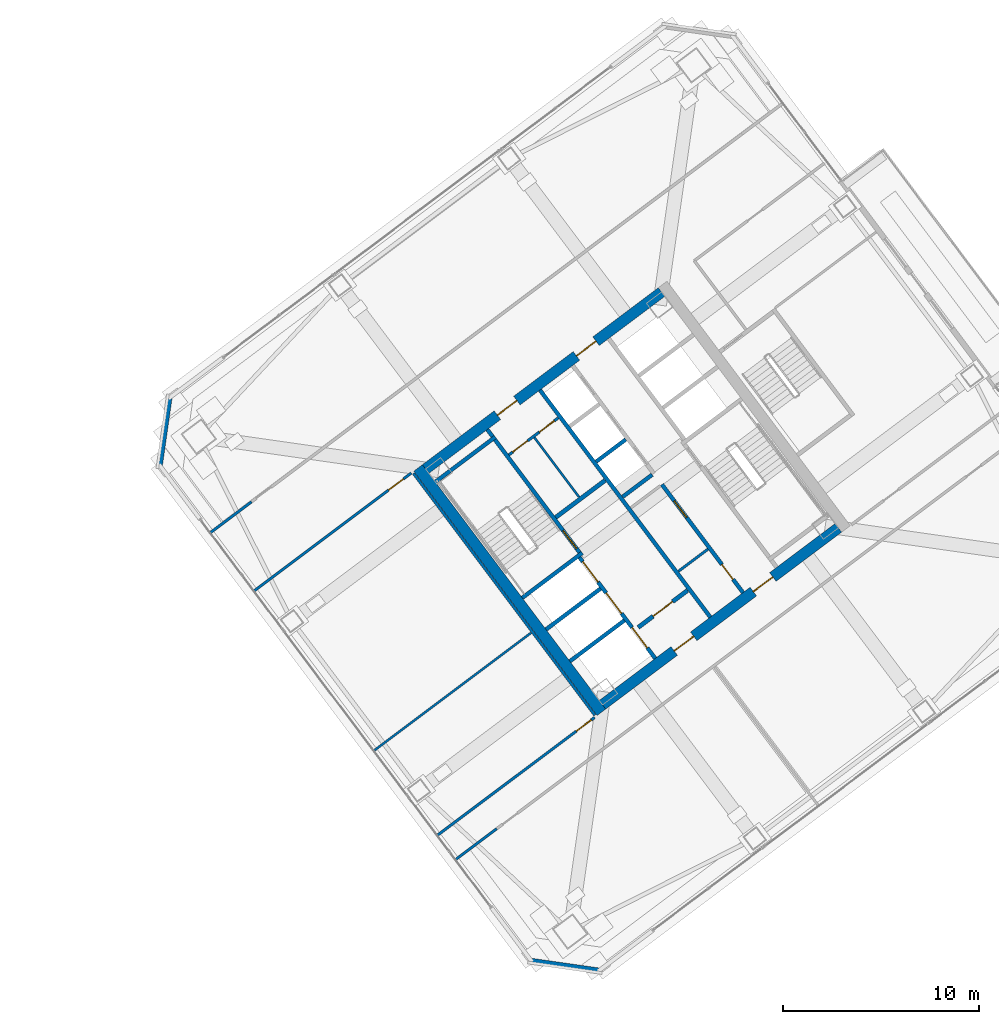
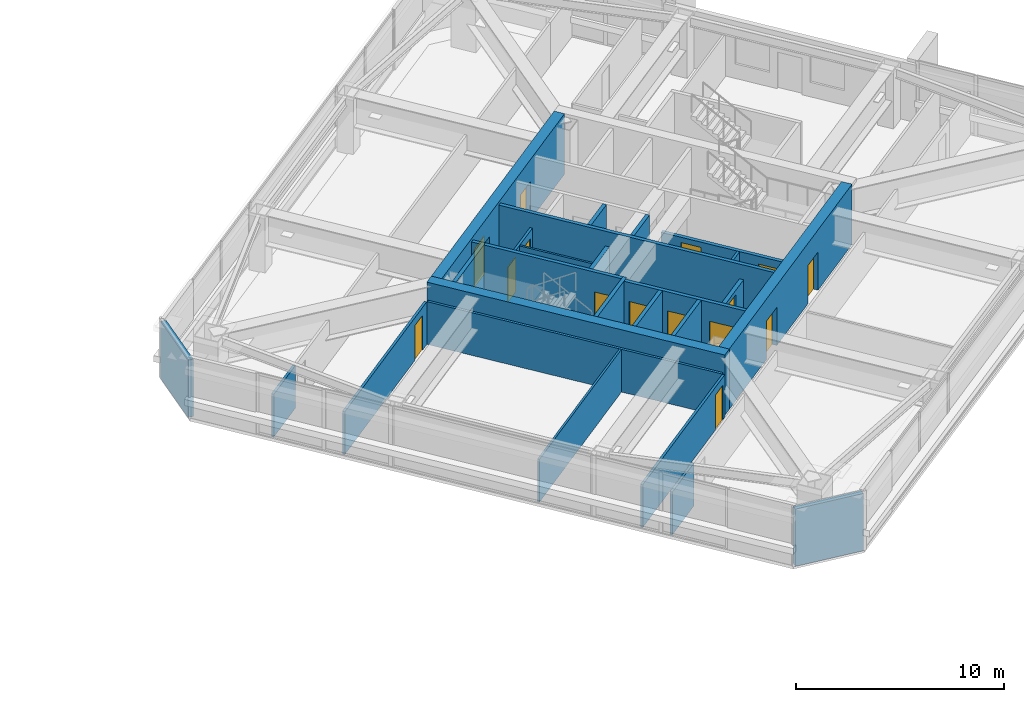
# One storey, part 34 of 42: 26 walls, 15 doors, 15 openings.
"""IFC4 building model written with IfcOpenShell, lengths in metres."""

from ifc_helpers import new_model, si_unit, direction, frame, frame_2d, origin, place, context, subcontext, project, spatial, rectangle, extrude, material, layer, layer_set, type_object, element, fill, save


model = new_model("IFC4")

# Units and contexts
model_context = context("Model", 3, precision=1e-05, world=origin(), true_north=direction((0.0, 1.0)))
body_context = subcontext(model_context, "Body", "Model", "MODEL_VIEW")
ifc_project = project(units=[si_unit("LENGTHUNIT", "METRE"), si_unit("AREAUNIT", "SQUARE_METRE"), si_unit("VOLUMEUNIT", "CUBIC_METRE"), si_unit("PLANEANGLEUNIT", "RADIAN"), si_unit("MASSUNIT", "GRAM", prefix="KILO")], contexts=[model_context])

# Site, building, storey
site_placement = place(None, origin())
site = spatial("IfcSite", under=ifc_project, at=site_placement, CompositionType="ELEMENT")
building_placement = place(site_placement, origin())
building = spatial("IfcBuilding", under=site, at=building_placement, Name="Tashvorn Skyway Center", CompositionType="ELEMENT")
storey_placement = place(building_placement, frame((0.0, 0.0, 153.449951171875)))
storey = spatial("IfcBuildingStorey", under=building, at=storey_placement, Name="L41", CompositionType="ELEMENT", Elevation=153.449951171875)

# Wall
ifc_material_1 = material(Name="Concrete C60/75", Category="concrete")
ifc_layer_1 = layer(ifc_material_1, 0.550048828125)
ifc_layer_set_1 = layer_set([ifc_layer_1], Name="Concrete C60/75")
wall_type_1 = type_object("IfcWallType", Name="WALL-CORE-550", PredefinedType="SHEAR", material=ifc_layer_set_1)
wall_1_placement = place(storey_placement, frame((112.43603515625, 21.076904296875, 0.0), z_axis=(0.0, 0.0, 1.0), x_axis=(-0.600005007985, 0.799996243986, 0.0)))
element("IfcWall", 1, at=wall_1_placement, inside=storey, type_object=wall_type_1, Name="Tower 2 L41 West Core Shear Wall", PredefinedType="SHEAR", context=body_context, shape_type="SweptSolid", body=[
    extrude(rectangle(XDim=15.60009765625, YDim=0.550048828125, at=frame_2d((7.800048828125, 0.0))), origin(), (0.0, 0.0, 1.0), 3.550048828125),
])

# Wall, openings, doors
wall_2_placement = place(storey_placement, frame((124.5390625, 30.498046875, 0.0), z_axis=(0.0, 0.0, 1.0), x_axis=(-0.799998054672, -0.600002593761, 0.0)))
wall_2 = element("IfcWall", 2, at=wall_2_placement, inside=storey, type_object=wall_type_1, Name="Tower 2 L41 South Core Shear Wall", PredefinedType="SHEAR", context=body_context, shape_type="SweptSolid", body=[
    extrude(rectangle(XDim=15.06005859375, YDim=0.550048828125, at=frame_2d((7.530029296875, 0.0))), origin(), (0.0, 0.0, 1.0), 3.550048828125),
])
opening_1_placement = place(wall_2_placement, frame((9.22998046875, 0.0, 0.0)))
opening_1 = element("IfcOpeningElement", 3, at=opening_1_placement, cuts=wall_2, Name="Opening D-FFL-1250", PredefinedType="OPENING", context=body_context, shape_type="SweptSolid", body=[
    extrude(rectangle(XDim=1.25, YDim=2.25, at=frame_2d((0.625, 1.125))), frame((0.0, 0.284912109375, 0.0), z_axis=(0.0, -1.0, 0.0), x_axis=(1.0, 0.0, 0.0)), (0.0, 0.0, 1.0), 0.570068359375),
])
opening_2_placement = place(wall_2_placement, frame((4.179931640625, 0.0, 0.0)))
opening_2 = element("IfcOpeningElement", 4, at=opening_2_placement, cuts=wall_2, Name="Opening D-FFL-1250", PredefinedType="OPENING", context=body_context, shape_type="SweptSolid", body=[
    extrude(rectangle(XDim=1.25, YDim=2.25, at=frame_2d((0.625, 1.125))), frame((0.0, 0.284912109375, 0.0), z_axis=(0.0, -1.0, 0.0), x_axis=(1.0, 0.0, 0.0)), (0.0, 0.0, 1.0), 0.570068359375),
])
ifc_material_2 = material(Name="Hollow galvanized steel fire door assembly", Category="steel")
door_type_1 = type_object("IfcDoorType", Name="DOOR-FFL-1250", OperationType="NOTDEFINED", PredefinedType="DOOR", material=ifc_material_2)
door_1_placement = place(opening_1_placement, origin())
door_1 = element("IfcDoor", 5, at=door_1_placement, inside=storey, type_object=door_type_1, Name="Tower 2 L41 Core South Firefighting Exit Door", OperationType="SINGLE_SWING_LEFT", OverallHeight=2.25, OverallWidth=1.25, PredefinedType="DOOR", context=body_context, shape_type="SweptSolid", body=[
    extrude(rectangle(XDim=1.25, YDim=2.25, at=frame_2d((0.625, 1.125))), frame((0.0, 0.02490234375, 0.0), z_axis=(0.0, -1.0, 0.0), x_axis=(1.0, 0.0, 0.0)), (0.0, 0.0, 1.0), 0.050048828125),
])
fill(opening_1, door_1)
door_2_placement = place(opening_2_placement, origin())
door_2 = element("IfcDoor", 6, at=door_2_placement, inside=storey, type_object=door_type_1, Name="Tower 2 L41 Core South Lift Lobby Door", OperationType="SINGLE_SWING_RIGHT", OverallHeight=2.25, OverallWidth=1.25, PredefinedType="DOOR", context=body_context, shape_type="SweptSolid", body=[
    extrude(rectangle(XDim=1.25, YDim=2.25, at=frame_2d((0.625, 1.125))), frame((0.0, 0.02490234375, 0.0), z_axis=(0.0, -1.0, 0.0), x_axis=(1.0, 0.0, 0.0)), (0.0, 0.0, 1.0), 0.050048828125),
])
fill(opening_2, door_2)

wall_3_placement = place(storey_placement, frame((103.4609375, 33.501953125, 0.0), z_axis=(0.0, 0.0, 1.0), x_axis=(0.799998054672, 0.600002593761, 0.0)))
wall_3 = element("IfcWall", 7, at=wall_3_placement, inside=storey, type_object=wall_type_1, Name="Tower 2 L41 North Core Shear Wall", PredefinedType="SHEAR", context=body_context, shape_type="SweptSolid", body=[
    extrude(rectangle(XDim=15.06005859375, YDim=0.550048828125, at=frame_2d((7.530029296875, 0.0))), origin(), (0.0, 0.0, 1.0), 3.550048828125),
])
opening_3_placement = place(wall_3_placement, frame((4.580078125, 0.0, 0.0)))
opening_3 = element("IfcOpeningElement", 8, at=opening_3_placement, cuts=wall_3, Name="Opening D-FFL-1250", PredefinedType="OPENING", context=body_context, shape_type="SweptSolid", body=[
    extrude(rectangle(XDim=1.25, YDim=2.25, at=frame_2d((0.625, 1.125))), frame((0.0, 0.284912109375, 0.0), z_axis=(0.0, -1.0, 0.0), x_axis=(1.0, 0.0, 0.0)), (0.0, 0.0, 1.0), 0.570068359375),
])
opening_4_placement = place(wall_3_placement, frame((9.6298828125, 0.0, 0.0)))
opening_4 = element("IfcOpeningElement", 9, at=opening_4_placement, cuts=wall_3, Name="Opening D-FFL-1250", PredefinedType="OPENING", context=body_context, shape_type="SweptSolid", body=[
    extrude(rectangle(XDim=1.25, YDim=2.25, at=frame_2d((0.625, 1.125))), frame((0.0, 0.284912109375, 0.0), z_axis=(0.0, -1.0, 0.0), x_axis=(1.0, 0.0, 0.0)), (0.0, 0.0, 1.0), 0.570068359375),
])
door_3_placement = place(opening_3_placement, origin())
door_3 = element("IfcDoor", 10, at=door_3_placement, inside=storey, type_object=door_type_1, Name="Tower 2 L41 Core North Service Lobby Door", OperationType="SINGLE_SWING_LEFT", OverallHeight=2.25, OverallWidth=1.25, PredefinedType="DOOR", context=body_context, shape_type="SweptSolid", body=[
    extrude(rectangle(XDim=1.25, YDim=2.25, at=frame_2d((0.625, 1.125))), frame((0.0, 0.02490234375, 0.0), z_axis=(0.0, -1.0, 0.0), x_axis=(1.0, 0.0, 0.0)), (0.0, 0.0, 1.0), 0.050048828125),
])
fill(opening_3, door_3)
door_4_placement = place(opening_4_placement, origin())
door_4 = element("IfcDoor", 11, at=door_4_placement, inside=storey, type_object=door_type_1, Name="Tower 2 L41 Core North Lift Lobby Door", OperationType="SINGLE_SWING_RIGHT", OverallHeight=2.25, OverallWidth=1.25, PredefinedType="DOOR", context=body_context, shape_type="SweptSolid", body=[
    extrude(rectangle(XDim=1.25, YDim=2.25, at=frame_2d((0.625, 1.125))), frame((0.0, 0.02490234375, 0.0), z_axis=(0.0, -1.0, 0.0), x_axis=(1.0, 0.0, 0.0)), (0.0, 0.0, 1.0), 0.050048828125),
])
fill(opening_4, door_4)

# Walls
ifc_material_3 = material(Name="Precast concrete C40/50", Category="concrete")
ifc_layer_2 = layer(ifc_material_3, 0.280029296875)
ifc_layer_set_2 = layer_set([ifc_layer_2], Name="Precast concrete C40/50")
wall_type_2 = type_object("IfcWallType", Name="WALL-EXT-280", PredefinedType="SOLIDWALL", material=ifc_layer_set_2)
for number, where, z_axis, x_axis, name in (
    (12, (112.340087890625, 7.8798828125, 0.0), (0.0, 0.0, 1.0), (-0.989949493661, 0.141421356237, 0.0), "Tower 2 L41 SW Precast Chamfer Wall"),
    (13, (89.8798828125, 33.659912109375, 0.0), (0.0, 0.0, 1.0), (0.141421356237, 0.989949493661, 0.0), "Tower 2 L41 NW Precast Chamfer Wall"),
):
    element("IfcWall", number, at=place(storey_placement, frame(where, z_axis=z_axis, x_axis=x_axis)), inside=storey, type_object=wall_type_2, Name=name, PredefinedType="SOLIDWALL", context=body_context, shape_type="SweptSolid", body=[
        extrude(rectangle(XDim=3.53564453125, YDim=0.280029296875, at=frame_2d((1.767822265625, 0.0))), origin(), (0.0, 0.0, 1.0), 3.3701171875),
    ])
ifc_material_4 = material(Name="Concrete C40/50", Category="concrete")
ifc_layer_3 = layer(ifc_material_4, 0.219970703125)
ifc_layer_set_3 = layer_set([ifc_layer_3], Name="Concrete C40/50")
wall_type_3 = type_object("IfcWallType", Name="WALL-FFL-220", PredefinedType="SOLIDWALL", material=ifc_layer_set_3)
wall_4_placement = place(storey_placement, frame((110.10400390625, 31.028076171875, 0.0), z_axis=(0.0, 0.0, 1.0), x_axis=(0.800018601094, 0.59997519774, 0.0)))
element("IfcWall", 14, at=wall_4_placement, inside=storey, type_object=wall_type_3, Name="Tower 2 L41 Firefighting Lobby North Wall", PredefinedType="SOLIDWALL", context=body_context, shape_type="SweptSolid", body=[
    extrude(rectangle(XDim=3.14990234375, YDim=0.219970703125, at=frame_2d((1.574951171875, 0.0))), origin(), (0.0, 0.0, 1.0), 2.512939453125),
])

# Wall, opening, door
wall_5_placement = place(storey_placement, frame((114.31591796875, 25.412109375, 0.0), z_axis=(0.0, 0.0, 1.0), x_axis=(0.800018601094, 0.59997519774, 0.0)))
wall_5 = element("IfcWall", 15, at=wall_5_placement, inside=storey, type_object=wall_type_3, Name="Tower 2 L41 Firefighting Lobby South Wall", PredefinedType="SOLIDWALL", context=body_context, shape_type="SweptSolid", body=[
    extrude(rectangle(XDim=3.14990234375, YDim=0.219970703125, at=frame_2d((1.574951171875, 0.0))), origin(), (0.0, 0.0, 1.0), 2.512939453125),
])
opening_5_placement = place(wall_5_placement, frame((0.949951171875, 0.0, 0.0)))
opening_5 = element("IfcOpeningElement", 16, at=opening_5_placement, cuts=wall_5, Name="Opening D-FFL-1250", PredefinedType="OPENING", context=body_context, shape_type="SweptSolid", body=[
    extrude(rectangle(XDim=1.25, YDim=2.25, at=frame_2d((0.625, 1.125))), frame((0.0, 0.119873046875, 0.0), z_axis=(0.0, -1.0, 0.0), x_axis=(1.0, 0.0, 0.0)), (0.0, 0.0, 1.0), 0.239990234375),
])
door_5_placement = place(opening_5_placement, origin())
door_5 = element("IfcDoor", 17, at=door_5_placement, inside=storey, type_object=door_type_1, Name="Tower 2 L41 Firefighting Lobby Egress Door", OperationType="SINGLE_SWING_LEFT", OverallHeight=2.25, OverallWidth=1.25, PredefinedType="DOOR", context=body_context, shape_type="SweptSolid", body=[
    extrude(rectangle(XDim=1.25, YDim=2.25, at=frame_2d((0.625, 1.125))), frame((0.0, 0.02490234375, 0.0), z_axis=(0.0, -1.0, 0.0), x_axis=(1.0, 0.0, 0.0)), (0.0, 0.0, 1.0), 0.050048828125),
])
fill(opening_5, door_5)

# Walls
ifc_material_5 = material(Name="Gypsum board on cold-formed steel stud framing", Category="steel")
ifc_layer_4 = layer(ifc_material_5, 0.110107421875)
ifc_layer_set_4 = layer_set([ifc_layer_4], Name="Gypsum board on cold-formed steel stud framing")
wall_type_4 = type_object("IfcWallType", Name="WALL-PART-110", PredefinedType="PARTITIONING", material=ifc_layer_set_4)
wall_6_placement = place(storey_placement, frame((100.81591796875, 19.112060546875, 0.0), z_axis=(0.0, 0.0, 1.0), x_axis=(0.800002918023, 0.599996109283, 0.0)))
element("IfcWall", 18, at=wall_6_placement, inside=storey, type_object=wall_type_4, Name="Tower 2 L41 West Mid Partition", PredefinedType="PARTITIONING", context=body_context, shape_type="SweptSolid", body=[
    extrude(rectangle(XDim=10.0400390625, YDim=0.110107421875, at=frame_2d((5.02001953125, 0.0))), origin(), (0.0, 0.0, 1.0), 2.512939453125),
])
ifc_layer_5 = layer(ifc_material_5, 0.135009765625)
ifc_layer_set_5 = layer_set([ifc_layer_5], Name="Gypsum board on cold-formed steel stud framing")
wall_type_5 = type_object("IfcWallType", Name="WALL-PART-135", PredefinedType="PARTITIONING", material=ifc_layer_set_5)
for number, where, z_axis, x_axis, name in (
    (19, (92.464111328125, 30.248046875, 0.0), (0.0, 0.0, 1.0), (0.80002227902, 0.599970293491, 0.0), "Tower 2 L41 North-West Suite South Wall"),
    (20, (104.986083984375, 13.552001953125, 0.0), (0.0, 0.0, 1.0), (0.80002227902, 0.599970293491, 0.0), "Tower 2 L41 South-West Suite North Wall"),
):
    element("IfcWall", number, at=place(storey_placement, frame(where, z_axis=z_axis, x_axis=x_axis)), inside=storey, type_object=wall_type_5, Name=name, PredefinedType="PARTITIONING", context=body_context, shape_type="SweptSolid", body=[
        extrude(rectangle(XDim=2.6298828125, YDim=0.135009765625, at=frame_2d((1.31494140625, 0.0))), origin(), (0.0, 0.0, 1.0), 2.512939453125),
    ])
wall_7_placement = place(storey_placement, frame((112.10400390625, 20.927978515625, 0.0), z_axis=(0.0, 0.0, 1.0), x_axis=(-0.599994940075, 0.800003794918, 0.0)))
element("IfcWall", 21, at=wall_7_placement, inside=storey, type_object=wall_type_5, Name="Tower 2 L41 West Inner Suite Wall", PredefinedType="PARTITIONING", context=body_context, shape_type="SweptSolid", body=[
    extrude(rectangle(XDim=15.43994140625, YDim=0.135009765625, at=frame_2d((7.719970703125, 0.0))), origin(), (0.0, 0.0, 1.0), 2.512939453125),
])

# Wall, opening, door
wall_8_placement = place(storey_placement, frame((102.72802734375, 33.2958984375, 0.0), z_axis=(0.0, 0.0, 1.0), x_axis=(-0.800002918023, -0.599996109283, 0.0)))
wall_8 = element("IfcWall", 22, at=wall_8_placement, inside=storey, type_object=wall_type_5, Name="Tower 2 L41 West Suite North Wall", PredefinedType="PARTITIONING", context=body_context, shape_type="SweptSolid", body=[
    extrude(rectangle(XDim=10.0400390625, YDim=0.135009765625, at=frame_2d((5.02001953125, 0.0))), origin(), (0.0, 0.0, 1.0), 2.512939453125),
])
opening_6_placement = place(wall_8_placement, frame((0.5, 0.0, 0.0)))
opening_6 = element("IfcOpeningElement", 23, at=opening_6_placement, cuts=wall_8, Name="Opening D-INT-950", PredefinedType="OPENING", context=body_context, shape_type="SweptSolid", body=[
    extrude(rectangle(XDim=0.949951171875, YDim=2.050048828125, at=frame_2d((0.47509765625, 1.02490234375))), frame((0.0, 0.077392578125, 0.0), z_axis=(0.0, -1.0, 0.0), x_axis=(1.0, 0.0, 0.0)), (0.0, 0.0, 1.0), 0.155029296875),
])
ifc_material_6 = material(Name="Solid-core architectural oak veneer door")
door_type_2 = type_object("IfcDoorType", Name="DOOR-INT-950", OperationType="NOTDEFINED", PredefinedType="DOOR", material=ifc_material_6)
door_6_placement = place(opening_6_placement, origin())
door_6 = element("IfcDoor", 24, at=door_6_placement, inside=storey, type_object=door_type_2, Name="Tower 2 L41 Security Control Room Door", OperationType="SINGLE_SWING_RIGHT", OverallHeight=2.050048828125, OverallWidth=0.949951171875, PredefinedType="DOOR", context=body_context, shape_type="SweptSolid", body=[
    extrude(rectangle(XDim=0.949951171875, YDim=2.050048828125, at=frame_2d((0.47509765625, 1.02490234375))), frame((0.0, 0.02490234375, 0.0), z_axis=(0.0, -1.0, 0.0), x_axis=(1.0, 0.0, 0.0)), (0.0, 0.0, 1.0), 0.050048828125),
])
fill(opening_6, door_6)

wall_9_placement = place(storey_placement, frame((104.055908203125, 14.7919921875, 0.0), z_axis=(0.0, 0.0, 1.0), x_axis=(0.800002918023, 0.599996109283, 0.0)))
wall_9 = element("IfcWall", 25, at=wall_9_placement, inside=storey, type_object=wall_type_5, Name="Tower 2 L41 West Suite South Wall", PredefinedType="PARTITIONING", context=body_context, shape_type="SweptSolid", body=[
    extrude(rectangle(XDim=10.0400390625, YDim=0.135009765625, at=frame_2d((5.02001953125, 0.0))), origin(), (0.0, 0.0, 1.0), 2.512939453125),
])
opening_7_placement = place(wall_9_placement, frame((8.8798828125, 0.0, 0.0)))
opening_7 = element("IfcOpeningElement", 26, at=opening_7_placement, cuts=wall_9, Name="Opening D-INT-950", PredefinedType="OPENING", context=body_context, shape_type="SweptSolid", body=[
    extrude(rectangle(XDim=0.949951171875, YDim=2.050048828125, at=frame_2d((0.47509765625, 1.02490234375))), frame((0.0, 0.077392578125, 0.0), z_axis=(0.0, -1.0, 0.0), x_axis=(1.0, 0.0, 0.0)), (0.0, 0.0, 1.0), 0.155029296875),
])
door_7_placement = place(opening_7_placement, origin())
door_7 = element("IfcDoor", 27, at=door_7_placement, inside=storey, type_object=door_type_2, Name="Tower 2 L41 Public Restroom Door", OperationType="SINGLE_SWING_LEFT", OverallHeight=2.050048828125, OverallWidth=0.949951171875, PredefinedType="DOOR", context=body_context, shape_type="SweptSolid", body=[
    extrude(rectangle(XDim=0.949951171875, YDim=2.050048828125, at=frame_2d((0.47509765625, 1.02490234375))), frame((0.0, 0.02490234375, 0.0), z_axis=(0.0, -1.0, 0.0), x_axis=(1.0, 0.0, 0.0)), (0.0, 0.0, 1.0), 0.050048828125),
])
fill(opening_7, door_7)

# Wall
ifc_layer_6 = layer(ifc_material_5, 0.110107421875)
ifc_layer_set_6 = layer_set([ifc_layer_6], Name="Gypsum board on cold-formed steel stud framing")
wall_type_6 = type_object("IfcWallType", Name="WALL-RATED-110", PredefinedType="PARTITIONING", material=ifc_layer_set_6)
wall_10_placement = place(storey_placement, frame((111.2958984375, 32.072021484375, 0.0), z_axis=(0.0, 0.0, 1.0), x_axis=(-0.59995887973, 0.800030838552, 0.0)))
element("IfcWall", 28, at=wall_10_placement, inside=storey, type_object=wall_type_6, Name="Tower 2 L41 Core Split Partition", PredefinedType="PARTITIONING", context=body_context, shape_type="SweptSolid", body=[
    extrude(rectangle(XDim=3.7998046875, YDim=0.110107421875, at=frame_2d((1.89990234375, 0.0))), origin(), (0.0, 0.0, 1.0), 2.512939453125),
])

# Wall, openings, doors
ifc_layer_7 = layer(ifc_material_5, 0.135009765625)
ifc_layer_set_7 = layer_set([ifc_layer_7], Name="Gypsum board on cold-formed steel stud framing")
wall_type_7 = type_object("IfcWallType", Name="WALL-RATED-135", PredefinedType="PARTITIONING", material=ifc_layer_set_7)
wall_11_placement = place(storey_placement, frame((107.7099609375, 34.219970703125, 0.0), z_axis=(0.0, 0.0, 1.0), x_axis=(0.799981399002, 0.60002480053, 0.0)))
wall_11 = element("IfcWall", 29, at=wall_11_placement, inside=storey, type_object=wall_type_7, Name="Tower 2 L41 Core Service Lobby Wall", PredefinedType="PARTITIONING", context=body_context, shape_type="SweptSolid", body=[
    extrude(rectangle(XDim=3.150146484375, YDim=0.135009765625, at=frame_2d((1.5751953125, 0.0))), origin(), (0.0, 0.0, 1.0), 2.512939453125),
])
opening_8_placement = place(wall_11_placement, frame((0.25, 0.0, 0.0)))
opening_8 = element("IfcOpeningElement", 30, at=opening_8_placement, cuts=wall_11, Name="Opening D-RT-950", PredefinedType="OPENING", context=body_context, shape_type="SweptSolid", body=[
    extrude(rectangle(XDim=0.949951171875, YDim=2.050048828125, at=frame_2d((0.47509765625, 1.02490234375))), frame((0.0, 0.077392578125, 0.0), z_axis=(0.0, -1.0, 0.0), x_axis=(1.0, 0.0, 0.0)), (0.0, 0.0, 1.0), 0.155029296875),
])
opening_9_placement = place(wall_11_placement, frame((1.949951171875, 0.0, 0.0)))
opening_9 = element("IfcOpeningElement", 31, at=opening_9_placement, cuts=wall_11, Name="Opening D-RT-950", PredefinedType="OPENING", context=body_context, shape_type="SweptSolid", body=[
    extrude(rectangle(XDim=0.949951171875, YDim=2.050048828125, at=frame_2d((0.47509765625, 1.02490234375))), frame((0.0, 0.077392578125, 0.0), z_axis=(0.0, -1.0, 0.0), x_axis=(1.0, 0.0, 0.0)), (0.0, 0.0, 1.0), 0.155029296875),
])
door_type_3 = type_object("IfcDoorType", Name="DOOR-RATED-950", OperationType="NOTDEFINED", PredefinedType="DOOR", material=ifc_material_2)
door_8_placement = place(opening_8_placement, origin())
door_8 = element("IfcDoor", 32, at=door_8_placement, inside=storey, type_object=door_type_3, Name="Tower 2 L41 Core Accessible WC Door", OperationType="SINGLE_SWING_LEFT", OverallHeight=2.050048828125, OverallWidth=0.949951171875, PredefinedType="DOOR", context=body_context, shape_type="SweptSolid", body=[
    extrude(rectangle(XDim=0.949951171875, YDim=2.050048828125, at=frame_2d((0.47509765625, 1.02490234375))), frame((0.0, 0.02490234375, 0.0), z_axis=(0.0, -1.0, 0.0), x_axis=(1.0, 0.0, 0.0)), (0.0, 0.0, 1.0), 0.050048828125),
])
fill(opening_8, door_8)
door_9_placement = place(opening_9_placement, origin())
door_9 = element("IfcDoor", 33, at=door_9_placement, inside=storey, type_object=door_type_3, Name="Tower 2 L41 Core Cleaner Store Door", OperationType="SINGLE_SWING_RIGHT", OverallHeight=2.050048828125, OverallWidth=0.949951171875, PredefinedType="DOOR", context=body_context, shape_type="SweptSolid", body=[
    extrude(rectangle(XDim=0.949951171875, YDim=2.050048828125, at=frame_2d((0.47509765625, 1.02490234375))), frame((0.0, 0.02490234375, 0.0), z_axis=(0.0, -1.0, 0.0), x_axis=(1.0, 0.0, 0.0)), (0.0, 0.0, 1.0), 0.050048828125),
])
fill(opening_9, door_9)

# Walls
wall_12_placement = place(storey_placement, frame((116.3759765625, 28.281982421875, 0.0), z_axis=(0.0, 0.0, 1.0), x_axis=(0.8, 0.6, 0.0)))
element("IfcWall", 34, at=wall_12_placement, inside=storey, type_object=wall_type_7, Name="Tower 2 L41 Freed Core Partition", PredefinedType="PARTITIONING", context=body_context, shape_type="SweptSolid", body=[
    extrude(rectangle(XDim=1.8798828125, YDim=0.135009765625, at=frame_2d((0.93994140625, 0.0))), origin(), (0.0, 0.0, 1.0), 2.512939453125),
])
ifc_layer_8 = layer(ifc_material_4, 0.199951171875)
ifc_layer_set_8 = layer_set([ifc_layer_8], Name="Concrete C40/50")
wall_type_8 = type_object("IfcWallType", Name="WALL-SHAFT-200", PredefinedType="SOLIDWALL", material=ifc_layer_set_8)
for number, where, z_axis, x_axis, name in (
    (35, (110.825927734375, 23.681884765625, 0.0), (0.0, 0.0, 1.0), (0.8, 0.6, 0.0), "Tower 2 L41 FSAE Shaft Divider"),
    (36, (109.60791015625, 25.305908203125, 0.0), (0.0, 0.0, 1.0), (0.8, 0.6, 0.0), "Tower 2 L41 FSAE Shaft Divider"),
):
    element("IfcWall", number, at=place(storey_placement, frame(where, z_axis=z_axis, x_axis=x_axis)), inside=storey, type_object=wall_type_8, Name=name, PredefinedType="SOLIDWALL", context=body_context, shape_type="SweptSolid", body=[
        extrude(rectangle(XDim=3.480224609375, YDim=0.199951171875, at=frame_2d((1.740234375, 0.0))), origin(), (0.0, 0.0, 1.0), 3.3701171875),
    ])

# Wall, openings, doors
wall_13_placement = place(storey_placement, frame((119.669921875, 27.18994140625, 0.0), z_axis=(0.0, 0.0, 1.0), x_axis=(-0.599988677396, 0.800008491828, 0.0)))
wall_13 = element("IfcWall", 37, at=wall_13_placement, inside=storey, type_object=wall_type_8, Name="Tower 2 L41 Low-Rise Core Wall", PredefinedType="SOLIDWALL", context=body_context, shape_type="SweptSolid", body=[
    extrude(rectangle(XDim=6.89990234375, YDim=0.199951171875, at=frame_2d((3.449951171875, 0.0))), origin(), (0.0, 0.0, 1.0), 2.512939453125),
])
opening_10_placement = place(wall_13_placement, frame((0.85009765625, 0.0, 0.0)))
opening_10 = element("IfcOpeningElement", 38, at=opening_10_placement, cuts=wall_13, Name="Opening D-RT-950", PredefinedType="OPENING", context=body_context, shape_type="SweptSolid", body=[
    extrude(rectangle(XDim=0.949951171875, YDim=2.050048828125, at=frame_2d((0.47509765625, 1.02490234375))), frame((0.0, 0.10986328125, 0.0), z_axis=(0.0, -1.0, 0.0), x_axis=(1.0, 0.0, 0.0)), (0.0, 0.0, 1.0), 0.219970703125),
])
opening_11_placement = place(wall_13_placement, frame((4.800048828125, 0.0, 0.0)))
opening_11 = element("IfcOpeningElement", 39, at=opening_11_placement, cuts=wall_13, Name="Opening D-RT-1050", PredefinedType="OPENING", context=body_context, shape_type="SweptSolid", body=[
    extrude(rectangle(XDim=1.050048828125, YDim=2.199951171875, at=frame_2d((0.52490234375, 1.10009765625))), frame((0.0, 0.10986328125, 0.0), z_axis=(0.0, -1.0, 0.0), x_axis=(1.0, 0.0, 0.0)), (0.0, 0.0, 1.0), 0.219970703125),
])
door_type_4 = type_object("IfcDoorType", Name="DOOR-RATED-1050", OperationType="NOTDEFINED", PredefinedType="DOOR", material=ifc_material_2)
door_10_placement = place(opening_11_placement, origin())
door_10 = element("IfcDoor", 40, at=door_10_placement, inside=storey, type_object=door_type_4, Name="Tower 2 L41 Freed Core Room Door", OperationType="SINGLE_SWING_RIGHT", OverallHeight=2.199951171875, OverallWidth=1.050048828125, PredefinedType="DOOR", context=body_context, shape_type="SweptSolid", body=[
    extrude(rectangle(XDim=1.050048828125, YDim=2.199951171875, at=frame_2d((0.52490234375, 1.10009765625))), frame((0.0, 0.02490234375, 0.0), z_axis=(0.0, -1.0, 0.0), x_axis=(1.0, 0.0, 0.0)), (0.0, 0.0, 1.0), 0.050048828125),
])
fill(opening_11, door_10)
door_11_placement = place(opening_10_placement, origin())
door_11 = element("IfcDoor", 41, at=door_11_placement, inside=storey, type_object=door_type_3, Name="Tower 2 L41 Core Print Room Door", OperationType="SINGLE_SWING_LEFT", OverallHeight=2.050048828125, OverallWidth=0.949951171875, PredefinedType="DOOR", context=body_context, shape_type="SweptSolid", body=[
    extrude(rectangle(XDim=0.949951171875, YDim=2.050048828125, at=frame_2d((0.47509765625, 1.02490234375))), frame((0.0, 0.02490234375, 0.0), z_axis=(0.0, -1.0, 0.0), x_axis=(1.0, 0.0, 0.0)), (0.0, 0.0, 1.0), 0.050048828125),
])
fill(opening_10, door_11)

# Walls
wall_14_placement = place(storey_placement, frame((113.52587890625, 32.08203125, 0.0), z_axis=(0.0, 0.0, 1.0), x_axis=(0.800046745961, 0.599937666993, 0.0)))
element("IfcWall", 42, at=wall_14_placement, inside=storey, type_object=wall_type_8, Name="Tower 2 L41 Mid-Rise Shaft Divider", PredefinedType="SOLIDWALL", context=body_context, shape_type="SweptSolid", body=[
    extrude(rectangle(XDim=1.880126953125, YDim=0.199951171875, at=frame_2d((0.93994140625, 0.0))), origin(), (0.0, 0.0, 1.0), 3.3701171875),
])
wall_15_placement = place(storey_placement, frame((112.176025390625, 33.882080078125, 0.0), z_axis=(0.0, 0.0, 1.0), x_axis=(0.8, 0.6, 0.0)))
element("IfcWall", 43, at=wall_15_placement, inside=storey, type_object=wall_type_8, Name="Tower 2 L41 Mid-Rise Shaft Divider", PredefinedType="SOLIDWALL", context=body_context, shape_type="SweptSolid", body=[
    extrude(rectangle(XDim=1.8798828125, YDim=0.199951171875, at=frame_2d((0.93994140625, 0.0))), origin(), (0.0, 0.0, 1.0), 3.3701171875),
])

# Wall, opening, door
ifc_layer_9 = layer(ifc_material_4, 0.199951171875)
ifc_layer_set_9 = layer_set([ifc_layer_9], Name="Concrete C40/50")
wall_type_9 = type_object("IfcWallType", Name="WALL-STSHF-200", PredefinedType="SHEAR", material=ifc_layer_set_9)
wall_16_placement = place(storey_placement, frame((111.43994140625, 29.080078125, 0.0), z_axis=(0.0, 0.0, 1.0), x_axis=(-0.59999029481, 0.8000072788, 0.0)))
wall_16 = element("IfcWall", 44, at=wall_16_placement, inside=storey, type_object=wall_type_9, Name="Tower 2 L41 Stair 1 Enclosure Wall", PredefinedType="SHEAR", context=body_context, shape_type="SweptSolid", body=[
    extrude(rectangle(XDim=8.0498046875, YDim=0.199951171875, at=frame_2d((4.02490234375, 0.0))), origin(), (0.0, 0.0, 1.0), 3.3701171875),
])
opening_12_placement = place(wall_16_placement, frame((0.449951171875, 0.0, 0.0)))
opening_12 = element("IfcOpeningElement", 45, at=opening_12_placement, cuts=wall_16, Name="Opening D-ST-1150", PredefinedType="OPENING", context=body_context, shape_type="SweptSolid", body=[
    extrude(rectangle(XDim=1.14990234375, YDim=2.199951171875, at=frame_2d((0.574951171875, 1.10009765625))), frame((0.0, 0.10986328125, 0.0), z_axis=(0.0, -1.0, 0.0), x_axis=(1.0, 0.0, 0.0)), (0.0, 0.0, 1.0), 0.219970703125),
])
door_type_5 = type_object("IfcDoorType", Name="DOOR-STAIR-1150", OperationType="NOTDEFINED", PredefinedType="DOOR", material=ifc_material_2)
door_12_placement = place(opening_12_placement, origin())
door_12 = element("IfcDoor", 46, at=door_12_placement, inside=storey, type_object=door_type_5, Name="Tower 2 L41 Exit Stair 1 Door", OperationType="SINGLE_SWING_RIGHT", OverallHeight=2.199951171875, OverallWidth=1.14990234375, PredefinedType="DOOR", context=body_context, shape_type="SweptSolid", body=[
    extrude(rectangle(XDim=1.14990234375, YDim=2.199951171875, at=frame_2d((0.574951171875, 1.10009765625))), frame((0.0, 0.02490234375, 0.0), z_axis=(0.0, -1.0, 0.0), x_axis=(1.0, 0.0, 0.0)), (0.0, 0.0, 1.0), 0.050048828125),
])
fill(opening_12, door_12)

# Walls
for number, where, z_axis, x_axis, name in (
    (47, (108.39599609375, 26.922119140625, 0.0), (0.0, 0.0, 1.0), (0.800015298837, 0.599979601008, 0.0), "Tower 2 L41 Stair 1 South Wall"),
    (48, (103.9560546875, 32.842041015625, 0.0), (0.0, 0.0, 1.0), (0.800015298837, 0.599979601008, 0.0), "Tower 2 L41 Stair 1 North Wall"),
):
    element("IfcWall", number, at=place(storey_placement, frame(where, z_axis=z_axis, x_axis=x_axis)), inside=storey, type_object=wall_type_9, Name=name, PredefinedType="SHEAR", context=body_context, shape_type="SweptSolid", body=[
        extrude(rectangle(XDim=3.829833984375, YDim=0.199951171875, at=frame_2d((1.9150390625, 0.0))), origin(), (0.0, 0.0, 1.0), 3.3701171875),
    ])
wall_17_placement = place(storey_placement, frame((117.998046875, 25.93603515625, 0.0), z_axis=(0.0, 0.0, 1.0), x_axis=(-0.600002693989, 0.799997979501, 0.0)))
element("IfcWall", 49, at=wall_17_placement, inside=storey, type_object=wall_type_9, Name="Tower 2 L41 Firefighting Lobby East Smoke Barrier", PredefinedType="SHEAR", context=body_context, shape_type="SweptSolid", body=[
    extrude(rectangle(XDim=14.499755859375, YDim=0.199951171875, at=frame_2d((7.25, 0.0))), origin(), (0.0, 0.0, 1.0), 3.3701171875),
])

# Wall, openings, doors
wall_18_placement = place(storey_placement, frame((115.18994140625, 23.830078125, 0.0), z_axis=(0.0, 0.0, 1.0), x_axis=(-0.599993943644, 0.800004542231, 0.0)))
wall_18 = element("IfcWall", 50, at=wall_18_placement, inside=storey, type_object=wall_type_9, Name="Tower 2 L41 FSAE and Goods Shaft Front Wall", PredefinedType="SHEAR", context=body_context, shape_type="SweptSolid", body=[
    extrude(rectangle(XDim=6.449951171875, YDim=0.199951171875, at=frame_2d((3.22509765625, 0.0))), origin(), (0.0, 0.0, 1.0), 3.3701171875),
])
opening_13_placement = place(wall_18_placement, frame((4.875, 0.0, 0.0)))
opening_13 = element("IfcOpeningElement", 51, at=opening_13_placement, cuts=wall_18, Name="Opening LD-FF-T2-1-L41", PredefinedType="OPENING", context=body_context, shape_type="SweptSolid", body=[
    extrude(rectangle(XDim=1.300048828125, YDim=2.25, at=frame_2d((0.64990234375, 1.125))), frame((0.0, 0.10986328125, 0.0), z_axis=(0.0, -1.0, 0.0), x_axis=(1.0, 0.0, 0.0)), (0.0, 0.0, 1.0), 0.219970703125),
])
opening_14_placement = place(wall_18_placement, frame((2.875, 0.0, 0.0)))
opening_14 = element("IfcOpeningElement", 52, at=opening_14_placement, cuts=wall_18, Name="Opening LD-FF-T2-2-L41", PredefinedType="OPENING", context=body_context, shape_type="SweptSolid", body=[
    extrude(rectangle(XDim=1.300048828125, YDim=2.25, at=frame_2d((0.64990234375, 1.125))), frame((0.0, 0.10986328125, 0.0), z_axis=(0.0, -1.0, 0.0), x_axis=(1.0, 0.0, 0.0)), (0.0, 0.0, 1.0), 0.219970703125),
])
opening_15_placement = place(wall_18_placement, frame((0.675048828125, 0.0, 0.0)))
opening_15 = element("IfcOpeningElement", 53, at=opening_15_placement, cuts=wall_18, Name="Opening LD-GD-T2-1-L41", PredefinedType="OPENING", context=body_context, shape_type="SweptSolid", body=[
    extrude(rectangle(XDim=1.300048828125, YDim=2.25, at=frame_2d((0.64990234375, 1.125))), frame((0.0, 0.10986328125, 0.0), z_axis=(0.0, -1.0, 0.0), x_axis=(1.0, 0.0, 0.0)), (0.0, 0.0, 1.0), 0.219970703125),
])
ifc_material_7 = material(Name="Stainless steel heavy-duty landing door", Category="steel")
door_type_6 = type_object("IfcDoorType", Name="DOOR-LIFT-1300", OperationType="SLIDING_TO_LEFT", PredefinedType="DOOR", material=ifc_material_7)
door_13_placement = place(opening_13_placement, origin())
door_13 = element("IfcDoor", 54, at=door_13_placement, inside=storey, type_object=door_type_6, Name="Lift FF-T2-1 L41 Landing Door", OperationType="SLIDING_TO_LEFT", OverallHeight=2.25, OverallWidth=1.300048828125, PredefinedType="DOOR", context=body_context, shape_type="SweptSolid", body=[
    extrude(rectangle(XDim=1.300048828125, YDim=2.25, at=frame_2d((0.64990234375, 1.125))), frame((0.0, 0.02490234375, 0.0), z_axis=(0.0, -1.0, 0.0), x_axis=(1.0, 0.0, 0.0)), (0.0, 0.0, 1.0), 0.050048828125),
])
fill(opening_13, door_13)
door_14_placement = place(opening_14_placement, origin())
door_14 = element("IfcDoor", 55, at=door_14_placement, inside=storey, type_object=door_type_6, Name="Lift FF-T2-2 L41 Landing Door", OperationType="SLIDING_TO_LEFT", OverallHeight=2.25, OverallWidth=1.300048828125, PredefinedType="DOOR", context=body_context, shape_type="SweptSolid", body=[
    extrude(rectangle(XDim=1.300048828125, YDim=2.25, at=frame_2d((0.64990234375, 1.125))), frame((0.0, 0.02490234375, 0.0), z_axis=(0.0, -1.0, 0.0), x_axis=(1.0, 0.0, 0.0)), (0.0, 0.0, 1.0), 0.050048828125),
])
fill(opening_14, door_14)
door_15_placement = place(opening_15_placement, origin())
door_15 = element("IfcDoor", 56, at=door_15_placement, inside=storey, type_object=door_type_6, Name="Lift GD-T2-1 L41 Landing Door", OperationType="SLIDING_TO_LEFT", OverallHeight=2.25, OverallWidth=1.300048828125, PredefinedType="DOOR", context=body_context, shape_type="SweptSolid", body=[
    extrude(rectangle(XDim=1.300048828125, YDim=2.25, at=frame_2d((0.64990234375, 1.125))), frame((0.0, 0.02490234375, 0.0), z_axis=(0.0, -1.0, 0.0), x_axis=(1.0, 0.0, 0.0)), (0.0, 0.0, 1.0), 0.050048828125),
])
fill(opening_15, door_15)

save(model, "model.ifc")
